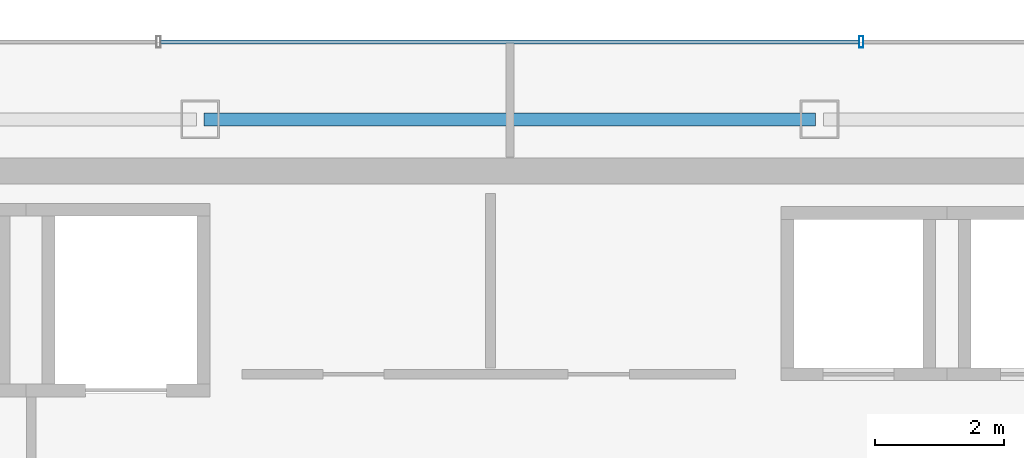
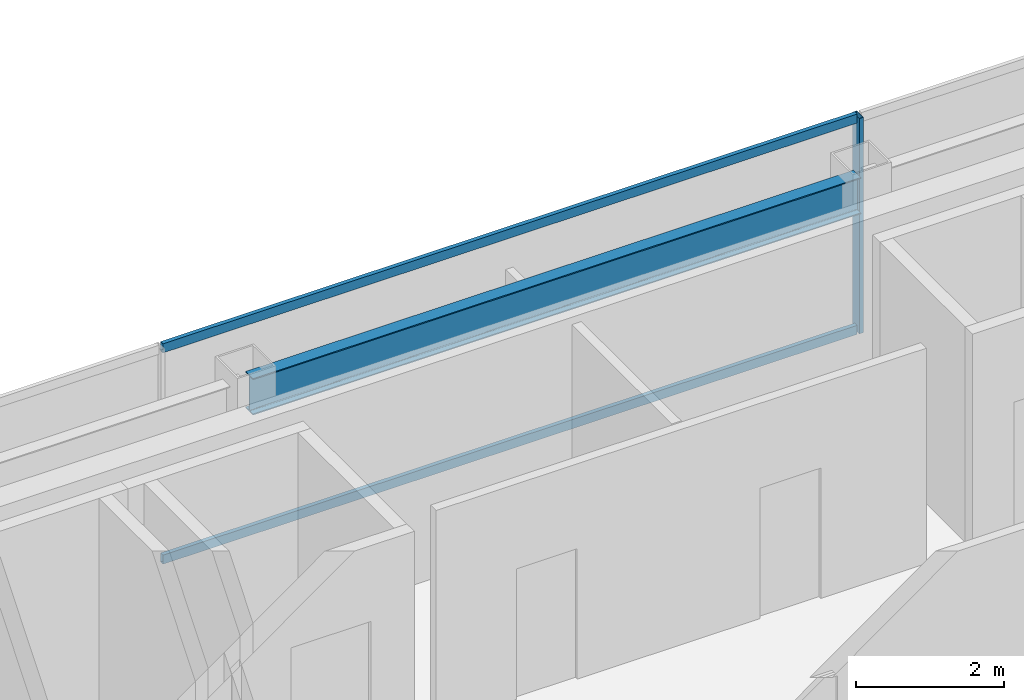
# One storey, part 10 of 22: 3 members, 1 beam, 1 element without a shape of its own.
"""IFC4 building model written with IfcOpenShell, lengths in metres."""

from ifc_helpers import new_model, si_unit, direction, frame, origin, origin_2d, place, context, subcontext, project, spatial, hollow_rectangle, i_section, extrude, material, material_profile, profile_set, type_object, element, aggregate, save


model = new_model("IFC4")

# Units and contexts
model_context = context("Model", 3, precision=1e-05, world=origin(), true_north=direction((0.0, 1.0)))
body_context = subcontext(model_context, "Body", "Model", "MODEL_VIEW")
ifc_project = project(units=[si_unit("LENGTHUNIT", "METRE"), si_unit("AREAUNIT", "SQUARE_METRE"), si_unit("VOLUMEUNIT", "CUBIC_METRE"), si_unit("PLANEANGLEUNIT", "RADIAN"), si_unit("MASSUNIT", "GRAM", prefix="KILO")], contexts=[model_context])

# Site, building, storey
site_placement = place(None, origin())
site = spatial("IfcSite", under=ifc_project, at=site_placement, CompositionType="ELEMENT")
building_placement = place(site_placement, origin())
building = spatial("IfcBuilding", under=site, at=building_placement, Name="Saevonmaru Cultural Tower", CompositionType="ELEMENT")
storey_placement = place(building_placement, frame((0.0, 0.0, 287.60009765625)))
storey = spatial("IfcBuildingStorey", under=building, at=storey_placement, Name="L68", CompositionType="ELEMENT", Elevation=287.60009765625)

# Beam
ifc_material_1 = material(Name="Steel SM355", Category="steel")
ifc_material_profile_1 = material_profile(ifc_material_1, i_section(OverallWidth=0.199951171875, OverallDepth=0.60009765625, WebThickness=0.010986328125, FlangeThickness=0.01708984375, FilletRadius=0.02197265625, at=origin_2d()), Name="H-600x200x11x17")
ifc_profile_set_1 = profile_set([ifc_material_profile_1], Name="Steel SM355")
beam_type = type_object("IfcBeamType", Name="BM-SP-H600", PredefinedType="SPANDREL", material=ifc_profile_set_1)
beam_placement = place(storey_placement, frame((25.260009765625, 54.800048828125, 3.25), z_axis=(1.0, 0.0, 0.0), x_axis=(0.0, 1.0, 0.0)))
element("IfcBeam", 1, at=beam_placement, inside=storey, type_object=beam_type, Name="L68 North Spine Girder 3", PredefinedType="SPANDREL", context=body_context, shape_type="SweptSolid", body=[
    extrude(i_section(OverallWidth=0.199951171875, OverallDepth=0.60009765625, WebThickness=0.010986328125, FlangeThickness=0.01708984375, FilletRadius=0.02197265625, at=origin_2d()), origin(), (0.0, 0.0, 1.0), 9.47998046875),
])

# Curtain wall, members
ifc_material_2 = material(Name="Satin Bronze Anodised Aluminium", Category="aluminium")
curtain_wall_type = type_object("IfcCurtainWallType", Name="CW-TYP-B", PredefinedType="NOTDEFINED", material=ifc_material_2)
curtain_wall_placement = place(storey_placement, origin())
curtain_wall = element("IfcCurtainWall", 2, at=curtain_wall_placement, inside=storey, type_object=curtain_wall_type, Name="L68 North Spine Unitised Curtain Wall E10B", PredefinedType="NOTDEFINED")
ifc_material_profile_2 = material_profile(ifc_material_2, hollow_rectangle(XDim=0.06494140625, YDim=0.179931640625, WallThickness=0.00390625, at=origin_2d()), Name="ALU-MULL-180x65x4")
ifc_profile_set_2 = profile_set([ifc_material_profile_2], Name="Satin Bronze Anodised Aluminium")
member_type_1 = type_object("IfcMemberType", Name="ML-CW-180x65", PredefinedType="MULLION", material=ifc_profile_set_2)
member_1_placement = place(storey_placement, frame((35.44677734375, 56.0, 0.0), z_axis=(0.0, 0.0, 1.0), x_axis=(-1.0, 0.0, 0.0)))
member_1 = element("IfcMember", 3, at=member_1_placement, type_object=member_type_1, Name="CW-TW-L68-E10B mullion 2", PredefinedType="MULLION", context=body_context, shape_type="SweptSolid", body=[
    extrude(hollow_rectangle(XDim=0.06494140625, YDim=0.179931640625, WallThickness=0.00390625, at=origin_2d()), origin(), (0.0, 0.0, 1.0), 3.5498046875),
])
ifc_material_profile_3 = material_profile(ifc_material_2, hollow_rectangle(XDim=0.06494140625, YDim=0.14990234375, WallThickness=0.00390625, at=origin_2d()), Name="ALU-TRAN-150x65x4")
ifc_profile_set_3 = profile_set([ifc_material_profile_3], Name="Satin Bronze Anodised Aluminium")
member_type_2 = type_object("IfcMemberType", Name="TR-CW-150x65", PredefinedType="USERDEFINED", material=ifc_profile_set_3)
member_2_placement = place(storey_placement, frame((35.4140625, 56.0, 0.032470703125), z_axis=(-1.0, 0.0, 0.0), x_axis=(0.0, -1.0, 0.0)))
member_2 = element("IfcMember", 4, at=member_2_placement, type_object=member_type_2, Name="CW-TW-L68-E10B transom 2.1", ObjectType="TRANSOM", PredefinedType="USERDEFINED", context=body_context, shape_type="SweptSolid", body=[
    extrude(hollow_rectangle(XDim=0.06494140625, YDim=0.14990234375, WallThickness=0.00390625, at=origin_2d()), origin(), (0.0, 0.0, 1.0), 10.828125),
])
member_3_placement = place(storey_placement, frame((35.4140625, 56.0, 3.517333984375), z_axis=(-1.0, 0.0, 0.0), x_axis=(0.0, -1.0, 0.0)))
member_3 = element("IfcMember", 5, at=member_3_placement, type_object=member_type_2, Name="CW-TW-L68-E10B transom 2.2", ObjectType="TRANSOM", PredefinedType="USERDEFINED", context=body_context, shape_type="SweptSolid", body=[
    extrude(hollow_rectangle(XDim=0.06494140625, YDim=0.14990234375, WallThickness=0.00390625, at=origin_2d()), origin(), (0.0, 0.0, 1.0), 10.828125),
])
aggregate(curtain_wall, [member_1, member_2, member_3])

save(model, "model.ifc")
